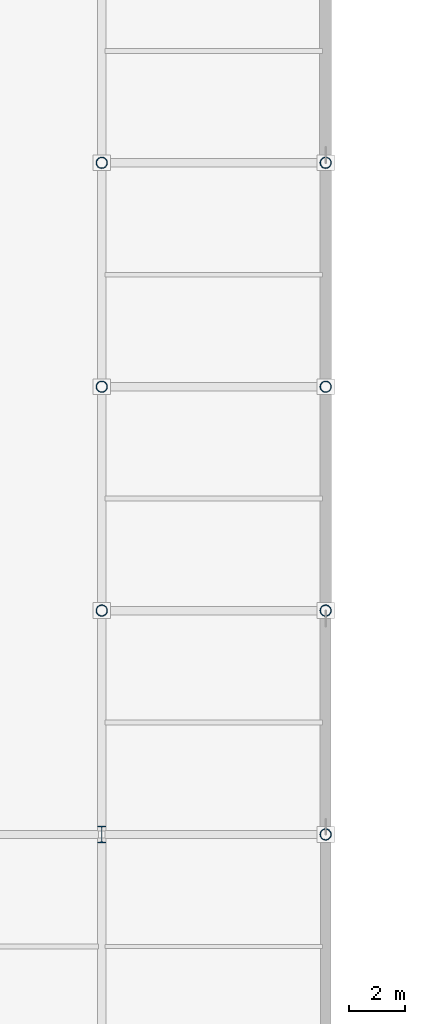
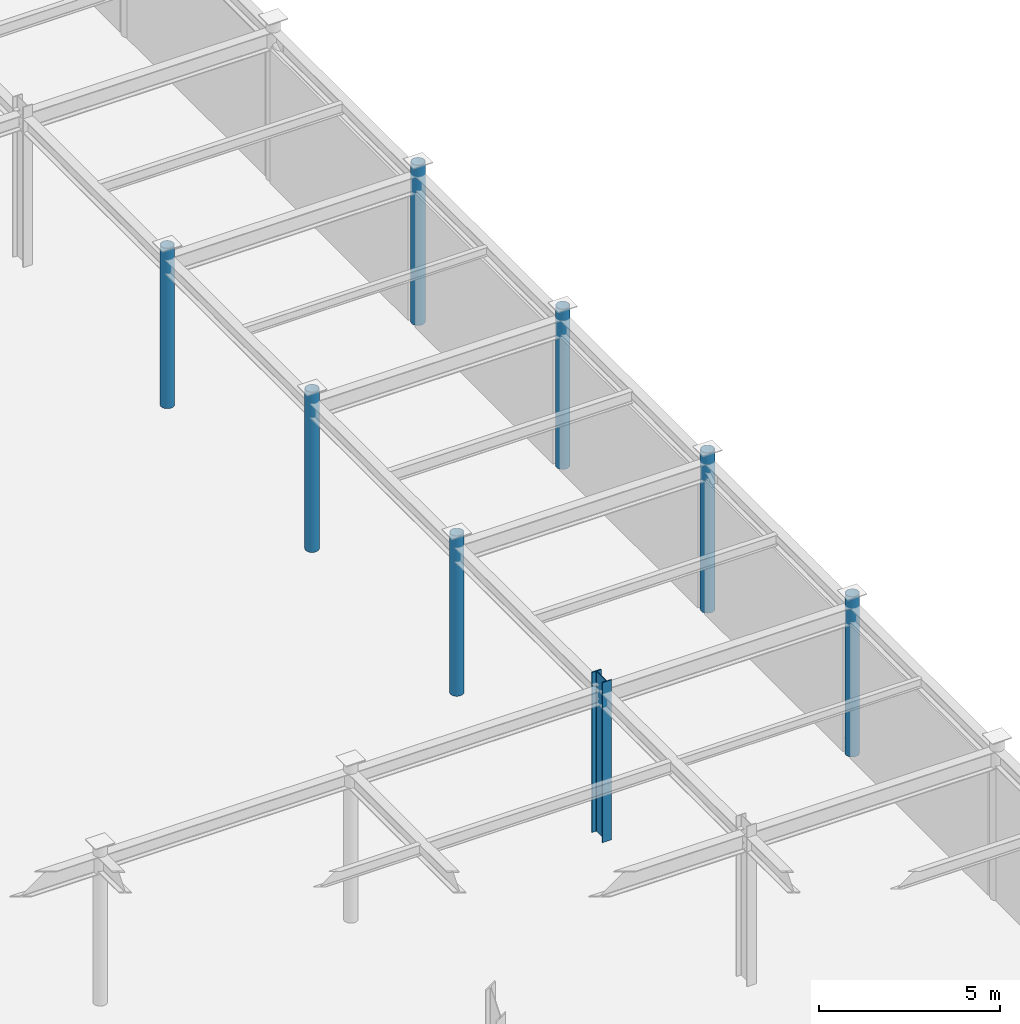
# One storey, part 6 of 39: 8 columns.
"""IFC4 building model written with IfcOpenShell, lengths in metres."""

from ifc_helpers import new_model, si_unit, direction, frame, origin, origin_2d, place, context, subcontext, project, spatial, hollow_circle, i_section, extrude, material, material_profile, profile_set, type_object, element, save


model = new_model("IFC4")

# Units and contexts
model_context = context("Model", 3, precision=1e-05, world=origin(), true_north=direction((0.0, 1.0)))
body_context = subcontext(model_context, "Body", "Model", "MODEL_VIEW")
ifc_project = project(units=[si_unit("LENGTHUNIT", "METRE"), si_unit("AREAUNIT", "SQUARE_METRE"), si_unit("VOLUMEUNIT", "CUBIC_METRE"), si_unit("PLANEANGLEUNIT", "RADIAN"), si_unit("MASSUNIT", "GRAM", prefix="KILO")], contexts=[model_context])

# Site, building, storey
site_placement = place(None, origin())
site = spatial("IfcSite", under=ifc_project, at=site_placement, CompositionType="ELEMENT")
building_placement = place(site_placement, origin())
building = spatial("IfcBuilding", under=site, at=building_placement, Name="Tazarka Park Arena", CompositionType="ELEMENT")
storey_placement = place(building_placement, origin())
storey = spatial("IfcBuildingStorey", under=building, at=storey_placement, Name="L00", CompositionType="ELEMENT", Elevation=0.0)

# Columns
ifc_material_1 = material(Name="Steel S355", Category="steel")
ifc_material_profile_1 = material_profile(ifc_material_1, i_section(OverallWidth=0.300048828125, OverallDepth=0.60009765625, WebThickness=0.015380859375, FlangeThickness=0.030029296875, FilletRadius=0.027099609375, at=origin_2d()), Name="Steel S355")
ifc_profile_set_1 = profile_set([ifc_material_profile_1], Name="Steel S355")
column_type_1 = type_object("IfcColumnType", Name="COL-SC-03", PredefinedType="COLUMN", material=ifc_profile_set_1)
column_placement = place(storey_placement, frame((176.0, 64.0, 0.0), z_axis=(0.0, 0.0, 1.0), x_axis=(1.0, 0.0, 0.0)))
element("IfcColumn", 1, at=column_placement, inside=storey, type_object=column_type_1, Name="CLM-L00-22-08", PredefinedType="COLUMN", context=body_context, shape_type="SweptSolid", body=[
    extrude(i_section(OverallWidth=0.300048828125, OverallDepth=0.60009765625, WebThickness=0.015380859375, FlangeThickness=0.030029296875, FilletRadius=0.027099609375, at=origin_2d()), origin(), (0.0, 0.0, 1.0), 5.39990234375),
])
ifc_material_2 = material(Name="Steel S355", Category="steel")
ifc_material_profile_2 = material_profile(ifc_material_2, hollow_circle(Radius=0.203125, WallThickness=0.02001953125, at=origin_2d()), Name="Steel S355")
ifc_profile_set_2 = profile_set([ifc_material_profile_2], Name="Steel S355")
column_type_2 = type_object("IfcColumnType", Name="COL-SC-04", PredefinedType="COLUMN", material=ifc_profile_set_2)
for number, where, z_axis, x_axis, name in (
    (2, (176.0, 72.0, 0.0), (0.0, 0.0, 1.0), (1.0, 0.0, 0.0), "CLM-L00-22-09"),
    (3, (176.0, 80.0, 0.0), (0.0, 0.0, 1.0), (1.0, 0.0, 0.0), "CLM-L00-22-10"),
    (4, (176.0, 88.0, 0.0), (0.0, 0.0, 1.0), (1.0, 0.0, 0.0), "CLM-L00-22-11"),
    (5, (184.0, 64.0, 0.0), (0.0, 0.0, 1.0), (1.0, 0.0, 0.0), "CLM-L00-23-08"),
    (6, (184.0, 72.0, 0.0), (0.0, 0.0, 1.0), (1.0, 0.0, 0.0), "CLM-L00-23-09"),
    (7, (184.0, 80.0, 0.0), (0.0, 0.0, 1.0), (1.0, 0.0, 0.0), "CLM-L00-23-10"),
    (8, (184.0, 88.0, 0.0), (0.0, 0.0, 1.0), (1.0, 0.0, 0.0), "CLM-L00-23-11"),
):
    element("IfcColumn", number, at=place(storey_placement, frame(where, z_axis=z_axis, x_axis=x_axis)), inside=storey, type_object=column_type_2, Name=name, PredefinedType="COLUMN", context=body_context, shape_type="SweptSolid", body=[
        extrude(hollow_circle(Radius=0.203125, WallThickness=0.02001953125, at=origin_2d()), origin(), (0.0, 0.0, 1.0), 5.39990234375),
    ])

save(model, "model.ifc")
